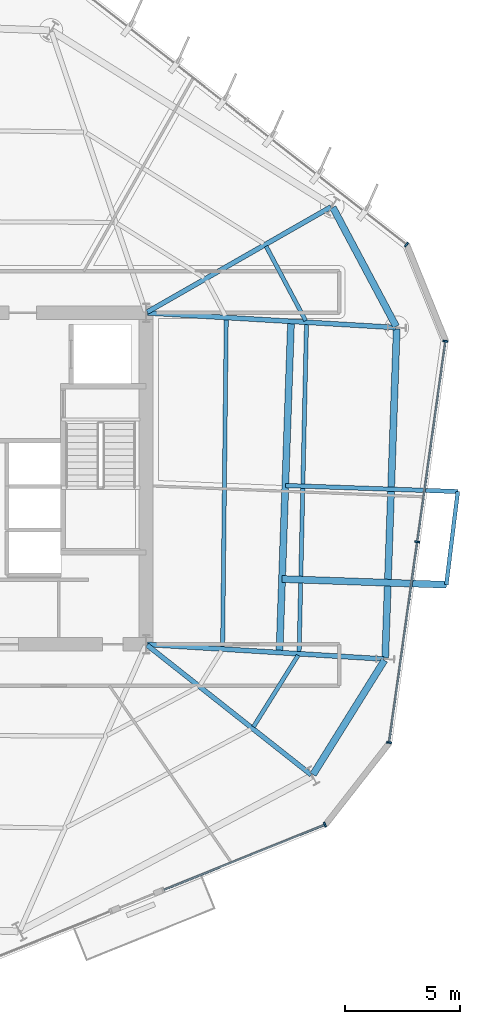
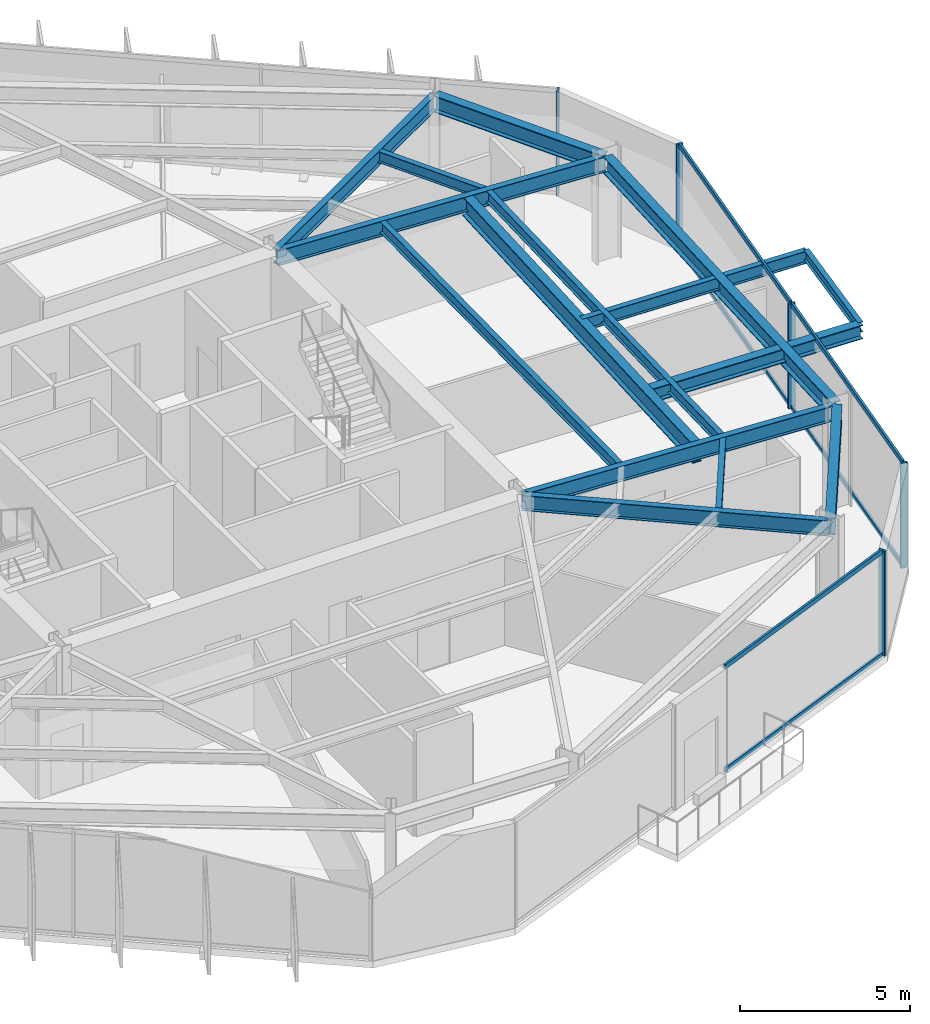
# One storey, part 4 of 12: 15 beams, 11 members, 3 elements without a shape of their own.
"""IFC4 building model written with IfcOpenShell, lengths in metres."""

from ifc_helpers import new_model, si_unit, direction, frame, origin, origin_2d, place, context, subcontext, project, spatial, rectangle, i_section, extrude, material, layer, layer_set, material_profile, profile_set, type_object, element, aggregate, save


model = new_model("IFC4")

# Units and contexts
model_context = context("Model", 3, precision=1e-05, world=origin(), true_north=direction((0.0, 1.0)))
body_context = subcontext(model_context, "Body", "Model", "MODEL_VIEW")
ifc_project = project(units=[si_unit("LENGTHUNIT", "METRE"), si_unit("AREAUNIT", "SQUARE_METRE"), si_unit("VOLUMEUNIT", "CUBIC_METRE"), si_unit("PLANEANGLEUNIT", "RADIAN"), si_unit("MASSUNIT", "GRAM", prefix="KILO")], contexts=[model_context])

# Site, building, storey
site_placement = place(None, origin())
site = spatial("IfcSite", under=ifc_project, at=site_placement, CompositionType="ELEMENT")
building_placement = place(site_placement, origin())
building = spatial("IfcBuilding", under=site, at=building_placement, Name="Kranzbogen Civic Tower", CompositionType="ELEMENT")
storey_placement = place(building_placement, frame((0.0, 0.0, 110.39990234375)))
storey = spatial("IfcBuildingStorey", under=building, at=storey_placement, Name="L26", CompositionType="ELEMENT", Elevation=110.39990234375)

# Beam
ifc_material_1 = material(Name="Steel S355", Category="steel")
ifc_material_profile_1 = material_profile(ifc_material_1, i_section(OverallWidth=0.18994140625, OverallDepth=0.449951171875, WebThickness=0.009521484375, FlangeThickness=0.0146484375, at=origin_2d()), Name="IPE 450")
ifc_profile_set_1 = profile_set([ifc_material_profile_1], Name="Steel S355")
beam_type_1 = type_object("IfcBeamType", Name="Braced Terrace Edge Beam IPE 450", PredefinedType="BEAM", material=ifc_profile_set_1)
beam_1_placement = place(storey_placement, frame((38.84912109375, 24.697021484375, 3.525146484375), z_axis=(0.99938925127, -0.034944591085, 0.0), x_axis=(0.034944591085, 0.99938925127, 0.0)))
element("IfcBeam", 1, at=beam_1_placement, inside=storey, type_object=beam_type_1, Name="L27 back-spanned terrace beam L27-TB2-2", PredefinedType="BEAM", context=body_context, shape_type="SweptSolid", body=[
    extrude(i_section(OverallWidth=0.18994140625, OverallDepth=0.449951171875, WebThickness=0.009521484375, FlangeThickness=0.0146484375, at=origin_2d()), origin(), (0.0, 0.0, 1.0), 7.49658203125),
])

# Curtain wall, member
ifc_material_2 = material(Name="Pale Anodised Aluminium", Category="aluminium")
ifc_layer = layer(ifc_material_2, 0.219970703125, Name="Pale Anodised Aluminium")
ifc_layer_set = layer_set([ifc_layer], Name="Pale Anodised Aluminium")
curtain_wall_type = type_object("IfcCurtainWallType", Name="Zone 2 Stick Curtain Wall System CW-03", PredefinedType="USERDEFINED", material=ifc_layer_set)
curtain_wall_1_placement = place(storey_placement, origin())
curtain_wall_1 = element("IfcCurtainWall", 2, at=curtain_wall_1_placement, inside=storey, type_object=curtain_wall_type, Name="L26 curtain wall CW-L26-F1", ObjectType="STICK CURTAIN WALL", PredefinedType="USERDEFINED")
ifc_material_profile_2 = material_profile(ifc_material_2, rectangle(XDim=0.074951171875, YDim=0.219970703125, at=origin_2d()), Name="ALU-M 75x220")
ifc_profile_set_2 = profile_set([ifc_material_profile_2], Name="Pale Anodised Aluminium")
member_type_1 = type_object("IfcMemberType", Name="Curtain Wall Mullion ALU-M 75x220", PredefinedType="MULLION", material=ifc_profile_set_2)
member_1_placement = place(storey_placement, frame((44.1103515625, 35.159423828125, 0.0), z_axis=(0.0, 0.0, 1.0), x_axis=(-0.788006354184, 0.615667106288, 0.0)))
member_1 = element("IfcMember", 3, at=member_1_placement, type_object=member_type_1, Name="CW-03 mullion 1", PredefinedType="MULLION", context=body_context, shape_type="SweptSolid", body=[
    extrude(rectangle(XDim=0.074951171875, YDim=0.219970703125, at=origin_2d()), origin(), (0.0, 0.0, 1.0), 3.760009765625),
])
aggregate(curtain_wall_1, [member_1])

curtain_wall_2_placement = place(storey_placement, origin())
curtain_wall_2 = element("IfcCurtainWall", 4, at=curtain_wall_2_placement, inside=storey, type_object=curtain_wall_type, Name="L26 curtain wall CW-L26-F5-S2", ObjectType="STICK CURTAIN WALL", PredefinedType="USERDEFINED")
member_2_placement = place(storey_placement, frame((40.569091796875, 9.9658203125, 0.0), z_axis=(0.0, 0.0, 1.0), x_axis=(0.927170096622, 0.374640643723, 0.0)))
member_2 = element("IfcMember", 5, at=member_2_placement, type_object=member_type_1, Name="CW-03 mullion 2", PredefinedType="MULLION", context=body_context, shape_type="SweptSolid", body=[
    extrude(rectangle(XDim=0.074951171875, YDim=0.219970703125, at=origin_2d()), origin(), (0.0, 0.0, 1.0), 3.760009765625),
])

# Curtain wall, members
curtain_wall_3_placement = place(storey_placement, origin())
curtain_wall_3 = element("IfcCurtainWall", 6, at=curtain_wall_3_placement, inside=storey, type_object=curtain_wall_type, Name="L26 curtain wall CW-L26-F6", ObjectType="STICK CURTAIN WALL", PredefinedType="USERDEFINED")
member_3_placement = place(storey_placement, frame((43.354248046875, 13.52978515625, 0.0), z_axis=(0.0, 0.0, 1.0), x_axis=(0.139178515652, 0.990267307741, 0.0)))
member_3 = element("IfcMember", 7, at=member_3_placement, type_object=member_type_1, Name="CW-03 mullion 1", PredefinedType="MULLION", context=body_context, shape_type="SweptSolid", body=[
    extrude(rectangle(XDim=0.074951171875, YDim=0.219970703125, at=origin_2d()), origin(), (0.0, 0.0, 1.0), 3.760009765625),
])
member_4_placement = place(storey_placement, frame((44.57958984375, 22.248046875, 0.0), z_axis=(0.0, 0.0, 1.0), x_axis=(0.139178515652, 0.990267307741, 0.0)))
member_4 = element("IfcMember", 8, at=member_4_placement, type_object=member_type_1, Name="CW-03 mullion 2", PredefinedType="MULLION", context=body_context, shape_type="SweptSolid", body=[
    extrude(rectangle(XDim=0.074951171875, YDim=0.219970703125, at=origin_2d()), origin(), (0.0, 0.0, 1.0), 3.760009765625),
])
member_5_placement = place(storey_placement, frame((45.804931640625, 30.96630859375, 0.0), z_axis=(0.0, 0.0, 1.0), x_axis=(0.139178515652, 0.990267307741, 0.0)))
member_5 = element("IfcMember", 9, at=member_5_placement, type_object=member_type_1, Name="CW-03 mullion 3", PredefinedType="MULLION", context=body_context, shape_type="SweptSolid", body=[
    extrude(rectangle(XDim=0.074951171875, YDim=0.219970703125, at=origin_2d()), origin(), (0.0, 0.0, 1.0), 3.760009765625),
])

# Member
ifc_material_profile_3 = material_profile(ifc_material_2, rectangle(XDim=0.074951171875, YDim=0.1650390625, at=origin_2d()), Name="ALU-T 75x165")
ifc_profile_set_3 = profile_set([ifc_material_profile_3], Name="Pale Anodised Aluminium")
member_type_2 = type_object("IfcMemberType", Name="Curtain Wall Transom ALU-T 75x165", PredefinedType="USERDEFINED", material=ifc_profile_set_3)
member_6_placement = place(storey_placement, frame((33.57470703125, 7.139404296875, 0.030029296875), z_axis=(0.927160021861, 0.374665576032, 0.0), x_axis=(-0.374665576032, 0.927160021861, 0.0)))
member_6 = element("IfcMember", 10, at=member_6_placement, type_object=member_type_2, Name="CW-03 transom 1.1", ObjectType="TRANSOM", PredefinedType="USERDEFINED", context=body_context, shape_type="SweptSolid", body=[
    extrude(rectangle(XDim=0.074951171875, YDim=0.1650390625, at=origin_2d()), origin(), (0.0, 0.0, 1.0), 7.513916015625),
])

member_7_placement = place(storey_placement, frame((33.57470703125, 7.139404296875, 3.72998046875), z_axis=(0.927160021861, 0.374665576032, 0.0), x_axis=(-0.374665576032, 0.927160021861, 0.0)))
member_7 = element("IfcMember", 11, at=member_7_placement, type_object=member_type_2, Name="CW-03 transom 1.2", ObjectType="TRANSOM", PredefinedType="USERDEFINED", context=body_context, shape_type="SweptSolid", body=[
    extrude(rectangle(XDim=0.074951171875, YDim=0.1650390625, at=origin_2d()), origin(), (0.0, 0.0, 1.0), 7.513916015625),
])

aggregate(curtain_wall_2, [member_2, member_6, member_7])

member_8_placement = place(storey_placement, frame((43.3583984375, 13.559326171875, 0.030029296875), z_axis=(0.139185099285, 0.990266382413, 0.0), x_axis=(-0.990266382413, 0.139185099285, 0.0)))
member_8 = element("IfcMember", 12, at=member_8_placement, type_object=member_type_2, Name="CW-03 transom 1.1", ObjectType="TRANSOM", PredefinedType="USERDEFINED", context=body_context, shape_type="SweptSolid", body=[
    extrude(rectangle(XDim=0.074951171875, YDim=0.1650390625, at=origin_2d()), origin(), (0.0, 0.0, 1.0), 8.744140625),
])

member_9_placement = place(storey_placement, frame((43.3583984375, 13.559326171875, 3.72998046875), z_axis=(0.139185099285, 0.990266382413, 0.0), x_axis=(-0.990266382413, 0.139185099285, 0.0)))
member_9 = element("IfcMember", 13, at=member_9_placement, type_object=member_type_2, Name="CW-03 transom 1.2", ObjectType="TRANSOM", PredefinedType="USERDEFINED", context=body_context, shape_type="SweptSolid", body=[
    extrude(rectangle(XDim=0.074951171875, YDim=0.1650390625, at=origin_2d()), origin(), (0.0, 0.0, 1.0), 8.744140625),
])

member_10_placement = place(storey_placement, frame((44.583740234375, 22.277587890625, 0.030029296875), z_axis=(0.139157719238, 0.99027023038, 0.0), x_axis=(-0.99027023038, 0.139157719238, 0.0)))
member_10 = element("IfcMember", 14, at=member_10_placement, type_object=member_type_2, Name="CW-03 transom 2.1", ObjectType="TRANSOM", PredefinedType="USERDEFINED", context=body_context, shape_type="SweptSolid", body=[
    extrude(rectangle(XDim=0.074951171875, YDim=0.1650390625, at=origin_2d()), origin(), (0.0, 0.0, 1.0), 8.743896484375),
])

member_11_placement = place(storey_placement, frame((44.583740234375, 22.277587890625, 3.72998046875), z_axis=(0.139157719238, 0.99027023038, 0.0), x_axis=(-0.99027023038, 0.139157719238, 0.0)))
member_11 = element("IfcMember", 15, at=member_11_placement, type_object=member_type_2, Name="CW-03 transom 2.2", ObjectType="TRANSOM", PredefinedType="USERDEFINED", context=body_context, shape_type="SweptSolid", body=[
    extrude(rectangle(XDim=0.074951171875, YDim=0.1650390625, at=origin_2d()), origin(), (0.0, 0.0, 1.0), 8.743896484375),
])

aggregate(curtain_wall_3, [member_3, member_4, member_5, member_8, member_9, member_10, member_11])

# Beams
ifc_material_profile_4 = material_profile(ifc_material_1, i_section(OverallWidth=0.300048828125, OverallDepth=0.5, WebThickness=0.014404296875, FlangeThickness=0.028076171875, at=origin_2d()), Name="HEB 500")
ifc_profile_set_4 = profile_set([ifc_material_profile_4], Name="Steel S355")
beam_type_2 = type_object("IfcBeamType", Name="Perimeter Tube Spandrel Beam HEB 500", PredefinedType="SPANDREL", material=ifc_profile_set_4)
beam_2_placement = place(storey_placement, frame((38.70703125, 20.635009765625, 3.5), z_axis=(0.99939166053, -0.034875619889, 0.0), x_axis=(0.034875619889, 0.99939166053, 0.0)))
element("IfcBeam", 16, at=beam_2_placement, inside=storey, type_object=beam_type_2, Name="L27 back-spanned terrace beam L27-TB2-1", PredefinedType="SPANDREL", context=body_context, shape_type="SweptSolid", body=[
    extrude(i_section(OverallWidth=0.300048828125, OverallDepth=0.5, WebThickness=0.014404296875, FlangeThickness=0.028076171875, at=origin_2d()), origin(), (0.0, 0.0, 1.0), 7.140380859375),
])
ifc_material_profile_5 = material_profile(ifc_material_1, i_section(OverallWidth=0.300048828125, OverallDepth=0.60009765625, WebThickness=0.015380859375, FlangeThickness=0.030029296875, at=origin_2d()), Name="HEB 600")
ifc_profile_set_5 = profile_set([ifc_material_profile_5], Name="Steel S355")
beam_type_3 = type_object("IfcBeamType", Name="Perimeter Tube Spandrel Beam HEB 600", PredefinedType="SPANDREL", material=ifc_profile_set_5)
beam_3_placement = place(storey_placement, frame((40.054931640625, 12.14306640625, 3.460205078125), z_axis=(0.529863902903, 0.848082687242, 0.0), x_axis=(-0.848082687242, 0.529863902903, 0.0)))
element("IfcBeam", 17, at=beam_3_placement, inside=storey, type_object=beam_type_3, Name="L26 perimeter spandrel beam 05", PredefinedType="SPANDREL", context=body_context, shape_type="SweptSolid", body=[
    extrude(i_section(OverallWidth=0.300048828125, OverallDepth=0.60009765625, WebThickness=0.015380859375, FlangeThickness=0.030029296875, at=origin_2d()), origin(), (0.0, 0.0, 1.0), 5.850830078125),
])
beam_4_placement = place(storey_placement, frame((43.18896484375, 17.216064453125, 3.460205078125), z_axis=(0.034924229103, 0.999389963038, 0.0), x_axis=(-0.999389963038, 0.034924229103, 0.0)))
element("IfcBeam", 18, at=beam_4_placement, inside=storey, type_object=beam_type_3, Name="L26 perimeter spandrel beam 06", PredefinedType="SPANDREL", context=body_context, shape_type="SweptSolid", body=[
    extrude(i_section(OverallWidth=0.300048828125, OverallDepth=0.60009765625, WebThickness=0.015380859375, FlangeThickness=0.030029296875, at=origin_2d()), origin(), (0.0, 0.0, 1.0), 14.288818359375),
])
beam_5_placement = place(storey_placement, frame((43.662109375, 31.60888671875, 3.460205078125), z_axis=(-0.469565926668, 0.882897412224, 0.0), x_axis=(-0.882897412224, -0.469565926668, 0.0)))
element("IfcBeam", 19, at=beam_5_placement, inside=storey, type_object=beam_type_3, Name="L26 perimeter spandrel beam 07", PredefinedType="SPANDREL", context=body_context, shape_type="SweptSolid", body=[
    extrude(i_section(OverallWidth=0.300048828125, OverallDepth=0.60009765625, WebThickness=0.015380859375, FlangeThickness=0.030029296875, at=origin_2d()), origin(), (0.0, 0.0, 1.0), 5.852294921875),
])
ifc_material_profile_6 = material_profile(ifc_material_1, i_section(OverallWidth=0.300048828125, OverallDepth=0.699951171875, WebThickness=0.01708984375, FlangeThickness=0.031982421875, at=origin_2d()), Name="HEB 700")
ifc_profile_set_6 = profile_set([ifc_material_profile_6], Name="Steel S355")
beam_type_4 = type_object("IfcBeamType", Name="Perimeter Tube Spandrel Beam HEB 700", PredefinedType="SPANDREL", material=ifc_profile_set_6)
beam_6_placement = place(storey_placement, frame((38.595947265625, 17.44091796875, 3.400146484375), z_axis=(0.034868227602, 0.99939191847, 0.0), x_axis=(-0.99939191847, 0.034868227602, 0.0)))
element("IfcBeam", 20, at=beam_6_placement, inside=storey, type_object=beam_type_4, Name="L27 balcony back-span header girder L27-TB2", PredefinedType="SPANDREL", context=body_context, shape_type="SweptSolid", body=[
    extrude(i_section(OverallWidth=0.300048828125, OverallDepth=0.699951171875, WebThickness=0.01708984375, FlangeThickness=0.031982421875, at=origin_2d()), origin(), (0.0, 0.0, 1.0), 14.395751953125),
])
ifc_material_profile_7 = material_profile(ifc_material_1, i_section(OverallWidth=0.2099609375, OverallDepth=0.550048828125, WebThickness=0.010986328125, FlangeThickness=0.01708984375, at=origin_2d()), Name="IPE 550")
ifc_profile_set_7 = profile_set([ifc_material_profile_7], Name="Steel S355")
beam_type_5 = type_object("IfcBeamType", Name="Radial Tower Floor Girder IPE 550", PredefinedType="BEAM", material=ifc_profile_set_7)
beam_7_placement = place(storey_placement, frame((39.97607421875, 12.12890625, 3.485107421875), z_axis=(-0.78457455683, 0.620034486763, 0.0), x_axis=(-0.620034486763, -0.78457455683, 0.0)))
element("IfcBeam", 21, at=beam_7_placement, inside=storey, type_object=beam_type_5, Name="L26 radial floor girder 05", PredefinedType="BEAM", context=body_context, shape_type="SweptSolid", body=[
    extrude(i_section(OverallWidth=0.2099609375, OverallDepth=0.550048828125, WebThickness=0.010986328125, FlangeThickness=0.01708984375, at=origin_2d()), origin(), (0.0, 0.0, 1.0), 9.086669921875),
])
beam_8_placement = place(storey_placement, frame((43.126953125, 17.159912109375, 3.485107421875), z_axis=(-0.998086872961, 0.061827130147, 0.0), x_axis=(-0.061827130147, -0.998086872961, 0.0)))
element("IfcBeam", 22, at=beam_8_placement, inside=storey, type_object=beam_type_5, Name="L26 radial floor girder 06", PredefinedType="BEAM", context=body_context, shape_type="SweptSolid", body=[
    extrude(i_section(OverallWidth=0.2099609375, OverallDepth=0.550048828125, WebThickness=0.010986328125, FlangeThickness=0.01708984375, at=origin_2d()), origin(), (0.0, 0.0, 1.0), 10.28662109375),
])
beam_9_placement = place(storey_placement, frame((43.6298828125, 31.56005859375, 3.485107421875), z_axis=(-0.998260925387, 0.058950189528, 0.0), x_axis=(-0.058950189528, -0.998260925387, 0.0)))
element("IfcBeam", 23, at=beam_9_placement, inside=storey, type_object=beam_type_5, Name="L26 radial floor girder 07", PredefinedType="BEAM", context=body_context, shape_type="SweptSolid", body=[
    extrude(i_section(OverallWidth=0.2099609375, OverallDepth=0.550048828125, WebThickness=0.010986328125, FlangeThickness=0.01708984375, at=origin_2d()), origin(), (0.0, 0.0, 1.0), 10.78857421875),
])
beam_10_placement = place(storey_placement, frame((40.833984375, 36.799072265625, 3.485107421875), z_axis=(-0.867868812182, -0.496793442833, 0.0), x_axis=(0.496793442833, -0.867868812182, 0.0)))
element("IfcBeam", 24, at=beam_10_placement, inside=storey, type_object=beam_type_5, Name="L26 radial floor girder 08", PredefinedType="BEAM", context=body_context, shape_type="SweptSolid", body=[
    extrude(i_section(OverallWidth=0.2099609375, OverallDepth=0.550048828125, WebThickness=0.010986328125, FlangeThickness=0.01708984375, at=origin_2d()), origin(), (0.0, 0.0, 1.0), 9.197265625),
])
ifc_material_profile_8 = material_profile(ifc_material_1, i_section(OverallWidth=0.169921875, OverallDepth=0.360107421875, WebThickness=0.008056640625, FlangeThickness=0.0126953125, at=origin_2d()), Name="IPE 360")
ifc_profile_set_8 = profile_set([ifc_material_profile_8], Name="Steel S355")
beam_type_6 = type_object("IfcBeamType", Name="Secondary Composite Floor Joist IPE 360", PredefinedType="JOIST", material=ifc_profile_set_8)
beam_11_placement = place(storey_placement, frame((45.843017578125, 20.385986328125, 3.570068359375), z_axis=(0.122082645396, 0.992519938184, 0.0), x_axis=(-0.992519938184, 0.122082645396, 0.0)))
element("IfcBeam", 25, at=beam_11_placement, inside=storey, type_object=beam_type_6, Name="L27 terrace outer edge trimmer L27-TB2", PredefinedType="JOIST", context=body_context, shape_type="SweptSolid", body=[
    extrude(i_section(OverallWidth=0.169921875, OverallDepth=0.360107421875, WebThickness=0.008056640625, FlangeThickness=0.0126953125, at=origin_2d()), origin(), (0.0, 0.0, 1.0), 4.07958984375),
])
ifc_material_profile_9 = material_profile(ifc_material_1, i_section(OverallWidth=0.179931640625, OverallDepth=0.39990234375, WebThickness=0.008544921875, FlangeThickness=0.013427734375, at=origin_2d()), Name="IPE 400")
ifc_profile_set_9 = profile_set([ifc_material_profile_9], Name="Steel S355")
beam_type_7 = type_object("IfcBeamType", Name="Secondary Composite Floor Joist IPE 400", PredefinedType="JOIST", material=ifc_profile_set_9)
beam_12_placement = place(storey_placement, frame((37.465087890625, 14.215087890625, 3.56005859375), z_axis=(0.529867065107, 0.848080711557, 0.0), x_axis=(-0.848080711557, 0.529867065107, 0.0)))
element("IfcBeam", 26, at=beam_12_placement, inside=storey, type_object=beam_type_7, Name="L26 secondary floor joist 1.05", PredefinedType="JOIST", context=body_context, shape_type="SweptSolid", body=[
    extrude(i_section(OverallWidth=0.179931640625, OverallDepth=0.39990234375, WebThickness=0.008544921875, FlangeThickness=0.013427734375, at=origin_2d()), origin(), (0.0, 0.0, 1.0), 3.6611328125),
])
beam_13_placement = place(storey_placement, frame((39.448974609375, 17.468017578125, 3.56005859375), z_axis=(0.022402523442, 0.999749031979, 0.0), x_axis=(-0.999749031979, 0.022402523442, 0.0)))
element("IfcBeam", 27, at=beam_13_placement, inside=storey, type_object=beam_type_7, Name="L26 secondary floor joist 1.06", PredefinedType="JOIST", context=body_context, shape_type="SweptSolid", body=[
    extrude(i_section(OverallWidth=0.179931640625, OverallDepth=0.39990234375, WebThickness=0.008544921875, FlangeThickness=0.013427734375, at=origin_2d()), origin(), (0.0, 0.0, 1.0), 14.24365234375),
])
beam_14_placement = place(storey_placement, frame((36.125, 17.674072265625, 3.56005859375), z_axis=(0.011160516663, 0.999937719494, 0.0), x_axis=(-0.999937719494, 0.011160516663, 0.0)))
element("IfcBeam", 28, at=beam_14_placement, inside=storey, type_object=beam_type_7, Name="L26 secondary floor joist 2.06", PredefinedType="JOIST", context=body_context, shape_type="SweptSolid", body=[
    extrude(i_section(OverallWidth=0.179931640625, OverallDepth=0.39990234375, WebThickness=0.008544921875, FlangeThickness=0.013427734375, at=origin_2d()), origin(), (0.0, 0.0, 1.0), 14.240966796875),
])
beam_15_placement = place(storey_placement, frame((39.73193359375, 31.85791015625, 3.56005859375), z_axis=(-0.469338791783, 0.88301817565, 0.0), x_axis=(-0.88301817565, -0.469338791783, 0.0)))
element("IfcBeam", 29, at=beam_15_placement, inside=storey, type_object=beam_type_7, Name="L26 secondary floor joist 1.07", PredefinedType="JOIST", context=body_context, shape_type="SweptSolid", body=[
    extrude(i_section(OverallWidth=0.179931640625, OverallDepth=0.39990234375, WebThickness=0.008544921875, FlangeThickness=0.013427734375, at=origin_2d()), origin(), (0.0, 0.0, 1.0), 3.66259765625),
])

save(model, "model.ifc")
